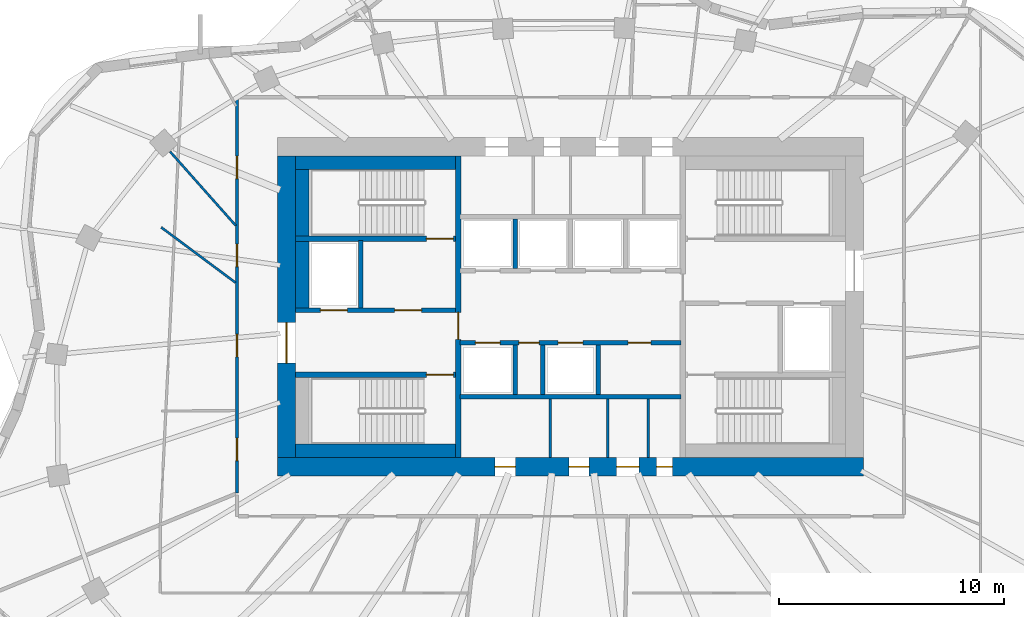
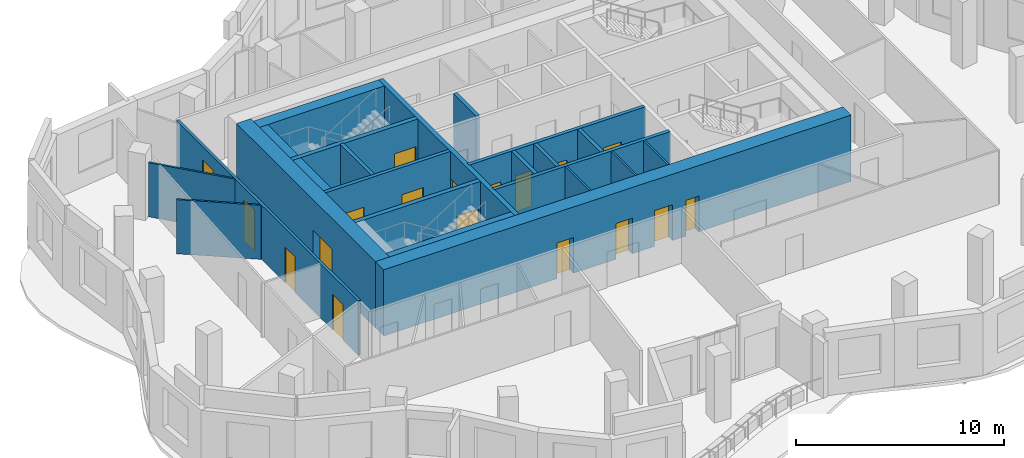
# One storey, part 6 of 12: 23 walls, 18 doors, 18 openings.
"""IFC4 building model written with IfcOpenShell, lengths in metres."""

from ifc_helpers import new_model, si_unit, direction, frame, frame_2d, origin, place, context, subcontext, project, spatial, rectangle, extrude, material, layer, layer_set, type_object, element, fill, save


model = new_model("IFC4")

# Units and contexts
model_context = context("Model", 3, precision=1e-05, world=origin(), true_north=direction((0.0, 1.0)))
body_context = subcontext(model_context, "Body", "Model", "MODEL_VIEW")
ifc_project = project(units=[si_unit("LENGTHUNIT", "METRE"), si_unit("AREAUNIT", "SQUARE_METRE"), si_unit("VOLUMEUNIT", "CUBIC_METRE"), si_unit("PLANEANGLEUNIT", "RADIAN"), si_unit("MASSUNIT", "GRAM", prefix="KILO")], contexts=[model_context])

# Site, building, storey
site_placement = place(None, origin())
site = spatial("IfcSite", under=ifc_project, at=site_placement, CompositionType="ELEMENT")
building_placement = place(site_placement, origin())
building = spatial("IfcBuilding", under=site, at=building_placement, Name="Rubra Terraces Tower", CompositionType="ELEMENT")
storey_placement = place(building_placement, frame((0.0, 0.0, 276.60009765625)))
storey = spatial("IfcBuildingStorey", under=building, at=storey_placement, Name="L68", CompositionType="ELEMENT", Elevation=276.60009765625)

# Wall, openings, doors
ifc_material_1 = material(Name="Concrete C50", Category="concrete")
ifc_layer_1 = layer(ifc_material_1, 0.800048828125)
ifc_layer_set_1 = layer_set([ifc_layer_1], Name="Concrete C50")
wall_type_1 = type_object("IfcWallType", Name="CORE WALL 800 C50", PredefinedType="SHEAR", material=ifc_layer_set_1)
wall_1_placement = place(storey_placement, frame((-13.0, -2.60009765625, 0.0), z_axis=(0.0, 0.0, 1.0), x_axis=(1.0, 0.0, 0.0)))
wall_1 = element("IfcWall", 1, at=wall_1_placement, inside=storey, type_object=wall_type_1, Name="CORE WALL S L68", PredefinedType="SHEAR", context=body_context, shape_type="SweptSolid", body=[
    extrude(rectangle(XDim=26.0, YDim=0.800048828125, at=frame_2d((13.0, 0.0))), origin(), (0.0, 0.0, 1.0), 3.89990234375),
])
opening_1_placement = place(wall_1_placement, frame((9.64990234375, 0.0, 0.0)))
opening_1 = element("IfcOpeningElement", 2, at=opening_1_placement, cuts=wall_1, Name="Opening L68.C21", PredefinedType="OPENING", context=body_context, shape_type="SweptSolid", body=[
    extrude(rectangle(XDim=0.89990234375, YDim=2.10009765625, at=frame_2d((0.449951171875, 1.050048828125))), frame((0.0, 0.409912109375, 0.0), z_axis=(0.0, -1.0, 0.0), x_axis=(1.0, 0.0, 0.0)), (0.0, 0.0, 1.0), 0.820068359375),
])
opening_2_placement = place(wall_1_placement, frame((12.925048828125, 0.0, 0.0)))
opening_2 = element("IfcOpeningElement", 3, at=opening_2_placement, cuts=wall_1, Name="Opening L68.C22", PredefinedType="OPENING", context=body_context, shape_type="SweptSolid", body=[
    extrude(rectangle(XDim=0.89990234375, YDim=2.10009765625, at=frame_2d((0.449951171875, 1.050048828125))), frame((0.0, 0.409912109375, 0.0), z_axis=(0.0, -1.0, 0.0), x_axis=(1.0, 0.0, 0.0)), (0.0, 0.0, 1.0), 0.820068359375),
])
opening_3_placement = place(wall_1_placement, frame((15.050048828125, 0.0, 0.0)))
opening_3 = element("IfcOpeningElement", 4, at=opening_3_placement, cuts=wall_1, Name="Opening L68.C23", PredefinedType="OPENING", context=body_context, shape_type="SweptSolid", body=[
    extrude(rectangle(XDim=1.0, YDim=2.10009765625, at=frame_2d((0.5, 1.050048828125))), frame((0.0, 0.409912109375, 0.0), z_axis=(0.0, -1.0, 0.0), x_axis=(1.0, 0.0, 0.0)), (0.0, 0.0, 1.0), 0.820068359375),
])
opening_4_placement = place(wall_1_placement, frame((16.824951171875, 0.0, 0.0)))
opening_4 = element("IfcOpeningElement", 5, at=opening_4_placement, cuts=wall_1, Name="Opening L68.C24", PredefinedType="OPENING", context=body_context, shape_type="SweptSolid", body=[
    extrude(rectangle(XDim=0.699951171875, YDim=2.10009765625, at=frame_2d((0.35009765625, 1.050048828125))), frame((0.0, 0.409912109375, 0.0), z_axis=(0.0, -1.0, 0.0), x_axis=(1.0, 0.0, 0.0)), (0.0, 0.0, 1.0), 0.820068359375),
])
ifc_material_2 = material(Name="Painted steel", Category="steel")
door_type_1 = type_object("IfcDoorType", Name="Fire door 1000x2100 single", OperationType="NOTDEFINED", PredefinedType="DOOR", material=ifc_material_2)
door_1_placement = place(opening_3_placement, origin())
door_1 = element("IfcDoor", 6, at=door_1_placement, inside=storey, type_object=door_type_1, Name="Accessible WC door", OperationType="SINGLE_SWING_LEFT", OverallHeight=2.10009765625, OverallWidth=1.0, PredefinedType="DOOR", context=body_context, shape_type="SweptSolid", body=[
    extrude(rectangle(XDim=1.0, YDim=2.10009765625, at=frame_2d((0.5, 1.050048828125))), frame((0.0, 0.02490234375, 0.0), z_axis=(0.0, -1.0, 0.0), x_axis=(1.0, 0.0, 0.0)), (0.0, 0.0, 1.0), 0.050048828125),
])
fill(opening_3, door_1)
door_type_2 = type_object("IfcDoorType", Name="Fire door 900x2100 single", OperationType="NOTDEFINED", PredefinedType="DOOR", material=ifc_material_2)
door_2_placement = place(opening_1_placement, origin())
door_2 = element("IfcDoor", 7, at=door_2_placement, inside=storey, type_object=door_type_2, Name="Ladies WC door", OperationType="SINGLE_SWING_LEFT", OverallHeight=2.10009765625, OverallWidth=0.89990234375, PredefinedType="DOOR", context=body_context, shape_type="SweptSolid", body=[
    extrude(rectangle(XDim=0.89990234375, YDim=2.10009765625, at=frame_2d((0.449951171875, 1.050048828125))), frame((0.0, 0.02490234375, 0.0), z_axis=(0.0, -1.0, 0.0), x_axis=(1.0, 0.0, 0.0)), (0.0, 0.0, 1.0), 0.050048828125),
])
fill(opening_1, door_2)
door_3_placement = place(opening_2_placement, origin())
door_3 = element("IfcDoor", 8, at=door_3_placement, inside=storey, type_object=door_type_2, Name="Gents WC door", OperationType="SINGLE_SWING_RIGHT", OverallHeight=2.10009765625, OverallWidth=0.89990234375, PredefinedType="DOOR", context=body_context, shape_type="SweptSolid", body=[
    extrude(rectangle(XDim=0.89990234375, YDim=2.10009765625, at=frame_2d((0.449951171875, 1.050048828125))), frame((0.0, 0.02490234375, 0.0), z_axis=(0.0, -1.0, 0.0), x_axis=(1.0, 0.0, 0.0)), (0.0, 0.0, 1.0), 0.050048828125),
])
fill(opening_2, door_3)
door_type_3 = type_object("IfcDoorType", Name="Riser access door 700x2100 single", OperationType="NOTDEFINED", PredefinedType="DOOR", material=ifc_material_2)
door_4_placement = place(opening_4_placement, origin())
door_4 = element("IfcDoor", 9, at=door_4_placement, inside=storey, type_object=door_type_3, Name="Water and drainage riser door", OperationType="SINGLE_SWING_RIGHT", OverallHeight=2.10009765625, OverallWidth=0.699951171875, PredefinedType="DOOR", context=body_context, shape_type="SweptSolid", body=[
    extrude(rectangle(XDim=0.699951171875, YDim=2.10009765625, at=frame_2d((0.35009765625, 1.050048828125))), frame((0.0, 0.02490234375, 0.0), z_axis=(0.0, -1.0, 0.0), x_axis=(1.0, 0.0, 0.0)), (0.0, 0.0, 1.0), 0.050048828125),
])
fill(opening_4, door_4)

# Wall, opening, door
wall_2_placement = place(storey_placement, frame((-12.60009765625, -2.199951171875, 0.0), z_axis=(0.0, 0.0, 1.0), x_axis=(0.0, 1.0, 0.0)))
wall_2 = element("IfcWall", 10, at=wall_2_placement, inside=storey, type_object=wall_type_1, Name="CORE WALL W L68", PredefinedType="SHEAR", context=body_context, shape_type="SweptSolid", body=[
    extrude(rectangle(XDim=13.39990234375, YDim=0.800048828125, at=frame_2d((6.699951171875, 0.0))), origin(), (0.0, 0.0, 1.0), 3.89990234375),
])
opening_5_placement = place(wall_2_placement, frame((4.199951171875, 0.0, 0.0)))
opening_5 = element("IfcOpeningElement", 11, at=opening_5_placement, cuts=wall_2, Name="Opening L68.C01", PredefinedType="OPENING", context=body_context, shape_type="SweptSolid", body=[
    extrude(rectangle(XDim=1.800048828125, YDim=2.10009765625, at=frame_2d((0.89990234375, 1.050048828125))), frame((0.0, 0.409912109375, 0.0), z_axis=(0.0, -1.0, 0.0), x_axis=(1.0, 0.0, 0.0)), (0.0, 0.0, 1.0), 0.820068359375),
])
door_type_4 = type_object("IfcDoorType", Name="Fire door 1800x2100 double", OperationType="NOTDEFINED", PredefinedType="DOOR", material=ifc_material_2)
door_5_placement = place(opening_5_placement, origin())
door_5 = element("IfcDoor", 12, at=door_5_placement, inside=storey, type_object=door_type_4, Name="Core entrance door FF1", OperationType="DOUBLE_DOOR_SINGLE_SWING", OverallHeight=2.10009765625, OverallWidth=1.800048828125, PredefinedType="DOOR", context=body_context, shape_type="SweptSolid", body=[
    extrude(rectangle(XDim=1.800048828125, YDim=2.10009765625, at=frame_2d((0.89990234375, 1.050048828125))), frame((0.0, 0.02490234375, 0.0), z_axis=(0.0, -1.0, 0.0), x_axis=(1.0, 0.0, 0.0)), (0.0, 0.0, 1.0), 0.050048828125),
])
fill(opening_5, door_5)

# Wall, openings, doors
ifc_material_3 = material(Name="Plasterboard on steel stud, mineral wool infill", Category="steel")
ifc_layer_2 = layer(ifc_material_3, 0.14990234375)
ifc_layer_set_2 = layer_set([ifc_layer_2], Name="Plasterboard on steel stud, mineral wool infill")
wall_type_2 = type_object("IfcWallType", Name="CORRIDOR PARTITION 150", PredefinedType="PARTITIONING", material=ifc_layer_set_2)
wall_3_placement = place(storey_placement, frame((-14.800048828125, 13.72509765625, 0.0), z_axis=(0.0, 0.0, 1.0), x_axis=(0.0, -1.0, 0.0)))
wall_3 = element("IfcWall", 13, at=wall_3_placement, inside=storey, type_object=wall_type_2, Name="PARTITION", PredefinedType="PARTITIONING", context=body_context, shape_type="SweptSolid", body=[
    extrude(rectangle(XDim=17.50048828125, YDim=0.14990234375, at=frame_2d((8.750244140625, 0.0))), origin(), (0.0, 0.0, 1.0), 3.197998046875),
])
opening_6_placement = place(wall_3_placement, frame((2.535888671875, 0.0, 0.0)))
opening_6 = element("IfcOpeningElement", 14, at=opening_6_placement, cuts=wall_3, Name="Opening 68-104", PredefinedType="OPENING", context=body_context, shape_type="SweptSolid", body=[
    extrude(rectangle(XDim=1.0, YDim=2.39990234375, at=frame_2d((0.5, 1.199951171875))), frame((0.0, 0.0849609375, 0.0), z_axis=(0.0, -1.0, 0.0), x_axis=(1.0, 0.0, 0.0)), (0.0, 0.0, 1.0), 0.169921875),
])
opening_7_placement = place(wall_3_placement, frame((6.44189453125, 0.0, 0.0)))
opening_7 = element("IfcOpeningElement", 15, at=opening_7_placement, cuts=wall_3, Name="Opening 68-105", PredefinedType="OPENING", context=body_context, shape_type="SweptSolid", body=[
    extrude(rectangle(XDim=1.0, YDim=2.39990234375, at=frame_2d((0.5, 1.199951171875))), frame((0.0, 0.0849609375, 0.0), z_axis=(0.0, -1.0, 0.0), x_axis=(1.0, 0.0, 0.0)), (0.0, 0.0, 1.0), 0.169921875),
])
opening_8_placement = place(wall_3_placement, frame((10.449951171875, 0.0, 0.0)))
opening_8 = element("IfcOpeningElement", 16, at=opening_8_placement, cuts=wall_3, Name="Opening 68-124", PredefinedType="OPENING", context=body_context, shape_type="SweptSolid", body=[
    extrude(rectangle(XDim=1.0, YDim=2.10009765625, at=frame_2d((0.5, 1.050048828125))), frame((0.0, 0.0849609375, 0.0), z_axis=(0.0, -1.0, 0.0), x_axis=(1.0, 0.0, 0.0)), (0.0, 0.0, 1.0), 0.169921875),
])
opening_9_placement = place(wall_3_placement, frame((15.050048828125, 0.0, 0.0)))
opening_9 = element("IfcOpeningElement", 17, at=opening_9_placement, cuts=wall_3, Name="Opening 68-125", PredefinedType="OPENING", context=body_context, shape_type="SweptSolid", body=[
    extrude(rectangle(XDim=1.0, YDim=2.10009765625, at=frame_2d((0.5, 1.050048828125))), frame((0.0, 0.0849609375, 0.0), z_axis=(0.0, -1.0, 0.0), x_axis=(1.0, 0.0, 0.0)), (0.0, 0.0, 1.0), 0.169921875),
])
ifc_material_4 = material(Name="Glazed aluminium meeting door leaf", Category="aluminium")
door_type_5 = type_object("IfcDoorType", Name="MEETING ROOM GLAZED DOOR 1000 X 2400", OperationType="SINGLE_SWING_LEFT", PredefinedType="DOOR", material=ifc_material_4)
door_6_placement = place(opening_6_placement, origin())
door_6 = element("IfcDoor", 18, at=door_6_placement, inside=storey, type_object=door_type_5, Name="DOOR 68-104", OperationType="SINGLE_SWING_RIGHT", OverallHeight=2.39990234375, OverallWidth=1.0, PredefinedType="DOOR", context=body_context, shape_type="SweptSolid", body=[
    extrude(rectangle(XDim=1.0, YDim=2.39990234375, at=frame_2d((0.5, 1.199951171875))), frame((0.0, 0.02490234375, 0.0), z_axis=(0.0, -1.0, 0.0), x_axis=(1.0, 0.0, 0.0)), (0.0, 0.0, 1.0), 0.050048828125),
])
fill(opening_6, door_6)
door_7_placement = place(opening_7_placement, origin())
door_7 = element("IfcDoor", 19, at=door_7_placement, inside=storey, type_object=door_type_5, Name="DOOR 68-105", OperationType="SINGLE_SWING_RIGHT", OverallHeight=2.39990234375, OverallWidth=1.0, PredefinedType="DOOR", context=body_context, shape_type="SweptSolid", body=[
    extrude(rectangle(XDim=1.0, YDim=2.39990234375, at=frame_2d((0.5, 1.199951171875))), frame((0.0, 0.02490234375, 0.0), z_axis=(0.0, -1.0, 0.0), x_axis=(1.0, 0.0, 0.0)), (0.0, 0.0, 1.0), 0.050048828125),
])
fill(opening_7, door_7)
ifc_material_5 = material(Name="Painted timber door leaf", Category="wood")
door_type_6 = type_object("IfcDoorType", Name="ROOM DOOR 1000 X 2100", OperationType="SINGLE_SWING_LEFT", PredefinedType="DOOR", material=ifc_material_5)
door_8_placement = place(opening_8_placement, origin())
door_8 = element("IfcDoor", 20, at=door_8_placement, inside=storey, type_object=door_type_6, Name="DOOR 68-124", OperationType="SINGLE_SWING_RIGHT", OverallHeight=2.10009765625, OverallWidth=1.0, PredefinedType="DOOR", context=body_context, shape_type="SweptSolid", body=[
    extrude(rectangle(XDim=1.0, YDim=2.10009765625, at=frame_2d((0.5, 1.050048828125))), frame((0.0, 0.02490234375, 0.0), z_axis=(0.0, -1.0, 0.0), x_axis=(1.0, 0.0, 0.0)), (0.0, 0.0, 1.0), 0.050048828125),
])
fill(opening_8, door_8)
door_9_placement = place(opening_9_placement, origin())
door_9 = element("IfcDoor", 21, at=door_9_placement, inside=storey, type_object=door_type_6, Name="DOOR 68-125", OperationType="SINGLE_SWING_RIGHT", OverallHeight=2.10009765625, OverallWidth=1.0, PredefinedType="DOOR", context=body_context, shape_type="SweptSolid", body=[
    extrude(rectangle(XDim=1.0, YDim=2.10009765625, at=frame_2d((0.5, 1.050048828125))), frame((0.0, 0.02490234375, 0.0), z_axis=(0.0, -1.0, 0.0), x_axis=(1.0, 0.0, 0.0)), (0.0, 0.0, 1.0), 0.050048828125),
])
fill(opening_9, door_9)

# Walls
ifc_material_6 = material(Name="Concrete C40", Category="concrete")
ifc_layer_3 = layer(ifc_material_6, 0.60009765625)
ifc_layer_set_3 = layer_set([ifc_layer_3], Name="Concrete C40")
wall_type_3 = type_object("IfcWallType", Name="Core lining wall 600 concrete", PredefinedType="SOLIDWALL", material=ifc_layer_set_3)
wall_4_placement = place(storey_placement, frame((-12.199951171875, -1.89990234375, 0.0), z_axis=(0.0, 0.0, 1.0), x_axis=(1.0, 0.0, 0.0)))
element("IfcWall", 22, at=wall_4_placement, inside=storey, type_object=wall_type_3, Name="CORE LINING WALL L68", PredefinedType="SOLIDWALL", context=body_context, shape_type="SweptSolid", body=[
    extrude(rectangle(XDim=7.099853515625, YDim=0.60009765625, at=frame_2d((3.5498046875, 0.0))), origin(), (0.0, 0.0, 1.0), 3.699951171875),
])
wall_5_placement = place(storey_placement, frame((-11.89990234375, 4.449951171875, 0.0), z_axis=(0.0, 0.0, 1.0), x_axis=(0.0, 1.0, 0.0)))
element("IfcWall", 23, at=wall_5_placement, inside=storey, type_object=wall_type_3, Name="CORE LINING WALL L68", PredefinedType="SOLIDWALL", context=body_context, shape_type="SweptSolid", body=[
    extrude(rectangle(XDim=3.0, YDim=0.60009765625, at=frame_2d((1.5, 0.0))), origin(), (0.0, 0.0, 1.0), 3.699951171875),
])
wall_6_placement = place(storey_placement, frame((-11.89990234375, 7.64990234375, 0.0), z_axis=(0.0, 0.0, 1.0), x_axis=(0.0, 1.0, 0.0)))
element("IfcWall", 24, at=wall_6_placement, inside=storey, type_object=wall_type_3, Name="CORE LINING WALL L68", PredefinedType="SOLIDWALL", context=body_context, shape_type="SweptSolid", body=[
    extrude(rectangle(XDim=2.9501953125, YDim=0.60009765625, at=frame_2d((1.47509765625, 0.0))), origin(), (0.0, 0.0, 1.0), 3.699951171875),
])
wall_7_placement = place(storey_placement, frame((-12.199951171875, 10.89990234375, 0.0), z_axis=(0.0, 0.0, 1.0), x_axis=(1.0, 0.0, 0.0)))
element("IfcWall", 25, at=wall_7_placement, inside=storey, type_object=wall_type_3, Name="CORE LINING WALL L68", PredefinedType="SOLIDWALL", context=body_context, shape_type="SweptSolid", body=[
    extrude(rectangle(XDim=7.099853515625, YDim=0.60009765625, at=frame_2d((3.5498046875, 0.0))), origin(), (0.0, 0.0, 1.0), 3.699951171875),
])

# Wall, openings, doors
ifc_material_7 = material(Name="Concrete C30", Category="concrete")
ifc_layer_4 = layer(ifc_material_7, 0.199951171875)
ifc_layer_set_4 = layer_set([ifc_layer_4], Name="Concrete C30")
wall_type_4 = type_object("IfcWallType", Name="Core wall 200 concrete", PredefinedType="SOLIDWALL", material=ifc_layer_set_4)
wall_8_placement = place(storey_placement, frame((-12.199951171875, 4.35009765625, 0.0), z_axis=(0.0, 0.0, 1.0), x_axis=(1.0, 0.0, 0.0)))
wall_8 = element("IfcWall", 26, at=wall_8_placement, inside=storey, type_object=wall_type_4, Name="STAIR WALL L68", PredefinedType="SOLIDWALL", context=body_context, shape_type="SweptSolid", body=[
    extrude(rectangle(XDim=7.099853515625, YDim=0.199951171875, at=frame_2d((3.5498046875, 0.0))), origin(), (0.0, 0.0, 1.0), 3.699951171875),
])
opening_10_placement = place(wall_8_placement, frame((4.39990234375, 0.0, 0.0)))
opening_10 = element("IfcOpeningElement", 27, at=opening_10_placement, cuts=wall_8, Name="Opening L68.C05", PredefinedType="OPENING", context=body_context, shape_type="SweptSolid", body=[
    extrude(rectangle(XDim=1.199951171875, YDim=2.10009765625, at=frame_2d((0.60009765625, 1.050048828125))), frame((0.0, 0.10986328125, 0.0), z_axis=(0.0, -1.0, 0.0), x_axis=(1.0, 0.0, 0.0)), (0.0, 0.0, 1.0), 0.219970703125),
])
opening_11_placement = place(wall_8_placement, frame((1.10009765625, 0.0, 0.0)))
opening_11 = element("IfcOpeningElement", 28, at=opening_11_placement, cuts=wall_8, Name="Opening L68.C11", PredefinedType="OPENING", context=body_context, shape_type="SweptSolid", body=[
    extrude(rectangle(XDim=1.199951171875, YDim=2.10009765625, at=frame_2d((0.60009765625, 1.050048828125))), frame((0.0, 0.10986328125, 0.0), z_axis=(0.0, -1.0, 0.0), x_axis=(1.0, 0.0, 0.0)), (0.0, 0.0, 1.0), 0.219970703125),
])
door_type_7 = type_object("IfcDoorType", Name="Fire door 1200x2100 single", OperationType="NOTDEFINED", PredefinedType="DOOR", material=ifc_material_2)
door_10_placement = place(opening_10_placement, origin())
door_10 = element("IfcDoor", 29, at=door_10_placement, inside=storey, type_object=door_type_7, Name="Stair vestibule door S2", OperationType="SINGLE_SWING_LEFT", OverallHeight=2.10009765625, OverallWidth=1.199951171875, PredefinedType="DOOR", context=body_context, shape_type="SweptSolid", body=[
    extrude(rectangle(XDim=1.199951171875, YDim=2.10009765625, at=frame_2d((0.60009765625, 1.050048828125))), frame((0.0, 0.02490234375, 0.0), z_axis=(0.0, -1.0, 0.0), x_axis=(1.0, 0.0, 0.0)), (0.0, 0.0, 1.0), 0.050048828125),
])
fill(opening_10, door_10)
ifc_material_8 = material(Name="Stainless steel", Category="steel")
door_type_8 = type_object("IfcDoorType", Name="Lift landing door 1200x2100", OperationType="NOTDEFINED", PredefinedType="DOOR", material=ifc_material_8)
door_11_placement = place(opening_11_placement, origin())
door_11 = element("IfcDoor", 30, at=door_11_placement, inside=storey, type_object=door_type_8, Name="Landing door FF1", OperationType="SLIDING_TO_RIGHT", OverallHeight=2.10009765625, OverallWidth=1.199951171875, PredefinedType="DOOR", context=body_context, shape_type="SweptSolid", body=[
    extrude(rectangle(XDim=1.199951171875, YDim=2.10009765625, at=frame_2d((0.60009765625, 1.050048828125))), frame((0.0, 0.02490234375, 0.0), z_axis=(0.0, -1.0, 0.0), x_axis=(1.0, 0.0, 0.0)), (0.0, 0.0, 1.0), 0.050048828125),
])
fill(opening_11, door_11)

# Walls
wall_9_placement = place(storey_placement, frame((-9.300048828125, 4.449951171875, 0.0), z_axis=(0.0, 0.0, 1.0), x_axis=(0.0, 1.0, 0.0)))
element("IfcWall", 31, at=wall_9_placement, inside=storey, type_object=wall_type_4, Name="STAIR WALL L68", PredefinedType="SOLIDWALL", context=body_context, shape_type="SweptSolid", body=[
    extrude(rectangle(XDim=3.0, YDim=0.199951171875, at=frame_2d((1.5, 0.0))), origin(), (0.0, 0.0, 1.0), 3.699951171875),
])
wall_10_placement = place(storey_placement, frame((-4.89990234375, 0.5, 0.0), z_axis=(0.0, 0.0, 1.0), x_axis=(1.0, 0.0, 0.0)))
element("IfcWall", 32, at=wall_10_placement, inside=storey, type_object=wall_type_4, Name="LIFT SHAFT WALL L68", PredefinedType="SOLIDWALL", context=body_context, shape_type="SweptSolid", body=[
    extrude(rectangle(XDim=9.7998046875, YDim=0.199951171875, at=frame_2d((4.89990234375, 0.0))), origin(), (0.0, 0.0, 1.0), 3.699951171875),
])

# Wall, openings, doors
wall_11_placement = place(storey_placement, frame((-4.89990234375, 2.89990234375, 0.0), z_axis=(0.0, 0.0, 1.0), x_axis=(1.0, 0.0, 0.0)))
wall_11 = element("IfcWall", 33, at=wall_11_placement, inside=storey, type_object=wall_type_4, Name="LIFT SHAFT WALL L68", PredefinedType="SOLIDWALL", context=body_context, shape_type="SweptSolid", body=[
    extrude(rectangle(XDim=9.7998046875, YDim=0.199951171875, at=frame_2d((4.89990234375, 0.0))), origin(), (0.0, 0.0, 1.0), 3.699951171875),
])
opening_12_placement = place(wall_11_placement, frame((0.675048828125, 0.0, 0.0)))
opening_12 = element("IfcOpeningElement", 34, at=opening_12_placement, cuts=wall_11, Name="Opening L68.C13", PredefinedType="OPENING", context=body_context, shape_type="SweptSolid", body=[
    extrude(rectangle(XDim=1.10009765625, YDim=2.10009765625, at=frame_2d((0.550048828125, 1.050048828125))), frame((0.0, 0.10986328125, 0.0), z_axis=(0.0, -1.0, 0.0), x_axis=(1.0, 0.0, 0.0)), (0.0, 0.0, 1.0), 0.219970703125),
])
opening_13_placement = place(wall_11_placement, frame((2.613037109375, 0.0, 0.0)))
opening_13 = element("IfcOpeningElement", 35, at=opening_13_placement, cuts=wall_11, Name="Opening L68.C14", PredefinedType="OPENING", context=body_context, shape_type="SweptSolid", body=[
    extrude(rectangle(XDim=0.89990234375, YDim=2.10009765625, at=frame_2d((0.449951171875, 1.050048828125))), frame((0.0, 0.10986328125, 0.0), z_axis=(0.0, -1.0, 0.0), x_axis=(1.0, 0.0, 0.0)), (0.0, 0.0, 1.0), 0.219970703125),
])
opening_14_placement = place(wall_11_placement, frame((4.35009765625, 0.0, 0.0)))
opening_14 = element("IfcOpeningElement", 36, at=opening_14_placement, cuts=wall_11, Name="Opening L68.C15", PredefinedType="OPENING", context=body_context, shape_type="SweptSolid", body=[
    extrude(rectangle(XDim=1.10009765625, YDim=2.10009765625, at=frame_2d((0.550048828125, 1.050048828125))), frame((0.0, 0.10986328125, 0.0), z_axis=(0.0, -1.0, 0.0), x_axis=(1.0, 0.0, 0.0)), (0.0, 0.0, 1.0), 0.219970703125),
])
opening_15_placement = place(wall_11_placement, frame((7.462890625, 0.0, 0.0)))
opening_15 = element("IfcOpeningElement", 37, at=opening_15_placement, cuts=wall_11, Name="Opening L68.C16", PredefinedType="OPENING", context=body_context, shape_type="SweptSolid", body=[
    extrude(rectangle(XDim=1.0, YDim=2.10009765625, at=frame_2d((0.5, 1.050048828125))), frame((0.0, 0.10986328125, 0.0), z_axis=(0.0, -1.0, 0.0), x_axis=(1.0, 0.0, 0.0)), (0.0, 0.0, 1.0), 0.219970703125),
])
door_12_placement = place(opening_15_placement, origin())
door_12 = element("IfcDoor", 38, at=door_12_placement, inside=storey, type_object=door_type_1, Name="General store door", OperationType="SINGLE_SWING_RIGHT", OverallHeight=2.10009765625, OverallWidth=1.0, PredefinedType="DOOR", context=body_context, shape_type="SweptSolid", body=[
    extrude(rectangle(XDim=1.0, YDim=2.10009765625, at=frame_2d((0.5, 1.050048828125))), frame((0.0, 0.02490234375, 0.0), z_axis=(0.0, -1.0, 0.0), x_axis=(1.0, 0.0, 0.0)), (0.0, 0.0, 1.0), 0.050048828125),
])
fill(opening_15, door_12)
door_13_placement = place(opening_13_placement, origin())
door_13 = element("IfcDoor", 39, at=door_13_placement, inside=storey, type_object=door_type_2, Name="Cleaner's store door", OperationType="SINGLE_SWING_RIGHT", OverallHeight=2.10009765625, OverallWidth=0.89990234375, PredefinedType="DOOR", context=body_context, shape_type="SweptSolid", body=[
    extrude(rectangle(XDim=0.89990234375, YDim=2.10009765625, at=frame_2d((0.449951171875, 1.050048828125))), frame((0.0, 0.02490234375, 0.0), z_axis=(0.0, -1.0, 0.0), x_axis=(1.0, 0.0, 0.0)), (0.0, 0.0, 1.0), 0.050048828125),
])
fill(opening_13, door_13)
door_type_9 = type_object("IfcDoorType", Name="Lift landing door 1100x2100", OperationType="NOTDEFINED", PredefinedType="DOOR", material=ifc_material_8)
door_14_placement = place(opening_12_placement, origin())
door_14 = element("IfcDoor", 40, at=door_14_placement, inside=storey, type_object=door_type_9, Name="Landing door HB1", OperationType="SLIDING_TO_RIGHT", OverallHeight=2.10009765625, OverallWidth=1.10009765625, PredefinedType="DOOR", context=body_context, shape_type="SweptSolid", body=[
    extrude(rectangle(XDim=1.10009765625, YDim=2.10009765625, at=frame_2d((0.550048828125, 1.050048828125))), frame((0.0, 0.02490234375, 0.0), z_axis=(0.0, -1.0, 0.0), x_axis=(1.0, 0.0, 0.0)), (0.0, 0.0, 1.0), 0.050048828125),
])
fill(opening_12, door_14)
door_15_placement = place(opening_14_placement, origin())
door_15 = element("IfcDoor", 41, at=door_15_placement, inside=storey, type_object=door_type_9, Name="Landing door HB2", OperationType="SLIDING_TO_LEFT", OverallHeight=2.10009765625, OverallWidth=1.10009765625, PredefinedType="DOOR", context=body_context, shape_type="SweptSolid", body=[
    extrude(rectangle(XDim=1.10009765625, YDim=2.10009765625, at=frame_2d((0.550048828125, 1.050048828125))), frame((0.0, 0.02490234375, 0.0), z_axis=(0.0, -1.0, 0.0), x_axis=(1.0, 0.0, 0.0)), (0.0, 0.0, 1.0), 0.050048828125),
])
fill(opening_14, door_15)

# Walls
for number, where, z_axis, x_axis, name in (
    (42, (-2.449951171875, 0.60009765625, 0.0), (0.0, 0.0, 1.0), (0.0, 1.0, 0.0), "LIFT SHAFT WALL L68"),
    (43, (-1.22509765625, 0.60009765625, 0.0), (0.0, 0.0, 1.0), (0.0, 1.0, 0.0), "LIFT SHAFT WALL L68"),
    (44, (1.22509765625, 0.60009765625, 0.0), (0.0, 0.0, 1.0), (0.0, 1.0, 0.0), "LIFT SHAFT WALL L68"),
    (45, (-2.449951171875, 6.199951171875, 0.0), (0.0, 0.0, 1.0), (0.0, 1.0, 0.0), "LIFT SHAFT WALL L68"),
):
    element("IfcWall", number, at=place(storey_placement, frame(where, z_axis=z_axis, x_axis=x_axis)), inside=storey, type_object=wall_type_4, Name=name, PredefinedType="SOLIDWALL", context=body_context, shape_type="SweptSolid", body=[
        extrude(rectangle(XDim=2.199951171875, YDim=0.199951171875, at=frame_2d((1.10009765625, 0.0))), origin(), (0.0, 0.0, 1.0), 3.699951171875),
    ])
ifc_material_9 = material(Name="Plasterboard on steel stud", Category="steel")
ifc_layer_5 = layer(ifc_material_9, 0.10009765625)
ifc_layer_set_5 = layer_set([ifc_layer_5], Name="Plasterboard on steel stud")
wall_type_5 = type_object("IfcWallType", Name="ROOM PARTITION 100", PredefinedType="PARTITIONING", material=ifc_layer_set_5)
wall_12_placement = place(storey_placement, frame((-14.849853515625, 8.098876953125, 0.0), z_axis=(0.0, 0.0, 1.0), x_axis=(-0.663984515268, 0.747746322949, 0.0)))
element("IfcWall", 46, at=wall_12_placement, inside=storey, type_object=wall_type_5, Name="PARTITION", PredefinedType="PARTITIONING", context=body_context, shape_type="SweptSolid", body=[
    extrude(rectangle(XDim=4.395263671875, YDim=0.10009765625, at=frame_2d((2.19775390625, 0.0))), origin(), (0.0, 0.0, 1.0), 3.183837890625),
])
wall_13_placement = place(storey_placement, frame((-14.860107421875, 5.56787109375, 0.0), z_axis=(0.0, 0.0, 1.0), x_axis=(-0.80221669382, 0.597032977444, 0.0)))
element("IfcWall", 47, at=wall_13_placement, inside=storey, type_object=wall_type_5, Name="PARTITION", PredefinedType="PARTITIONING", context=body_context, shape_type="SweptSolid", body=[
    extrude(rectangle(XDim=4.11328125, YDim=0.10009765625, at=frame_2d((2.056640625, 0.0))), origin(), (0.0, 0.0, 1.0), 3.183837890625),
])
ifc_material_10 = material(Name="Blockwork", Category="masonry")
ifc_layer_6 = layer(ifc_material_10, 0.10009765625)
ifc_layer_set_6 = layer_set([ifc_layer_6], Name="Blockwork")
wall_type_6 = type_object("IfcWallType", Name="Service partition 100 blockwork", PredefinedType="PARTITIONING", material=ifc_layer_set_6)
for number, where, z_axis, x_axis, name in (
    (48, (-0.89990234375, -2.199951171875, 0.0), (0.0, 0.0, 1.0), (0.0, 1.0, 0.0), "SERVICE ROOM PARTITION L68"),
    (49, (1.64990234375, -2.199951171875, 0.0), (0.0, 0.0, 1.0), (0.0, 1.0, 0.0), "SERVICE ROOM PARTITION L68"),
    (50, (3.449951171875, -2.199951171875, 0.0), (0.0, 0.0, 1.0), (0.0, 1.0, 0.0), "SERVICE ROOM PARTITION L68"),
):
    element("IfcWall", number, at=place(storey_placement, frame(where, z_axis=z_axis, x_axis=x_axis)), inside=storey, type_object=wall_type_6, Name=name, PredefinedType="PARTITIONING", context=body_context, shape_type="SweptSolid", body=[
        extrude(rectangle(XDim=2.599853515625, YDim=0.10009765625, at=frame_2d((1.2998046875, 0.0))), origin(), (0.0, 0.0, 1.0), 3.699951171875),
    ])

# Wall, opening, door
ifc_layer_7 = layer(ifc_material_6, 0.25)
ifc_layer_set_7 = layer_set([ifc_layer_7], Name="Concrete C40")
wall_type_7 = type_object("IfcWallType", Name="Stair enclosure wall 250 concrete", PredefinedType="SOLIDWALL", material=ifc_layer_set_7)
wall_14_placement = place(storey_placement, frame((-12.199951171875, 1.47509765625, 0.0), z_axis=(0.0, 0.0, 1.0), x_axis=(1.0, 0.0, 0.0)))
wall_14 = element("IfcWall", 51, at=wall_14_placement, inside=storey, type_object=wall_type_7, Name="STAIR WALL L68", PredefinedType="SOLIDWALL", context=body_context, shape_type="SweptSolid", body=[
    extrude(rectangle(XDim=7.099853515625, YDim=0.25, at=frame_2d((3.5498046875, 0.0))), origin(), (0.0, 0.0, 1.0), 3.699951171875),
])
opening_16_placement = place(wall_14_placement, frame((5.800048828125, 0.0, 0.0)))
opening_16 = element("IfcOpeningElement", 52, at=opening_16_placement, cuts=wall_14, Name="Opening L68.C07", PredefinedType="OPENING", context=body_context, shape_type="SweptSolid", body=[
    extrude(rectangle(XDim=1.199951171875, YDim=2.10009765625, at=frame_2d((0.60009765625, 1.050048828125))), frame((0.0, 0.135009765625, 0.0), z_axis=(0.0, -1.0, 0.0), x_axis=(1.0, 0.0, 0.0)), (0.0, 0.0, 1.0), 0.27001953125),
])
door_16_placement = place(opening_16_placement, origin())
door_16 = element("IfcDoor", 53, at=door_16_placement, inside=storey, type_object=door_type_7, Name="Stair door S1", OperationType="SINGLE_SWING_LEFT", OverallHeight=2.10009765625, OverallWidth=1.199951171875, PredefinedType="DOOR", context=body_context, shape_type="SweptSolid", body=[
    extrude(rectangle(XDim=1.199951171875, YDim=2.10009765625, at=frame_2d((0.60009765625, 1.050048828125))), frame((0.0, 0.02490234375, 0.0), z_axis=(0.0, -1.0, 0.0), x_axis=(1.0, 0.0, 0.0)), (0.0, 0.0, 1.0), 0.050048828125),
])
fill(opening_16, door_16)

wall_15_placement = place(storey_placement, frame((-12.199951171875, 7.52490234375, 0.0), z_axis=(0.0, 0.0, 1.0), x_axis=(1.0, 0.0, 0.0)))
wall_15 = element("IfcWall", 54, at=wall_15_placement, inside=storey, type_object=wall_type_7, Name="STAIR WALL L68", PredefinedType="SOLIDWALL", context=body_context, shape_type="SweptSolid", body=[
    extrude(rectangle(XDim=7.099853515625, YDim=0.25, at=frame_2d((3.5498046875, 0.0))), origin(), (0.0, 0.0, 1.0), 3.699951171875),
])
opening_17_placement = place(wall_15_placement, frame((5.800048828125, 0.0, 0.0)))
opening_17 = element("IfcOpeningElement", 55, at=opening_17_placement, cuts=wall_15, Name="Opening L68.C09", PredefinedType="OPENING", context=body_context, shape_type="SweptSolid", body=[
    extrude(rectangle(XDim=1.199951171875, YDim=2.10009765625, at=frame_2d((0.60009765625, 1.050048828125))), frame((0.0, 0.135009765625, 0.0), z_axis=(0.0, -1.0, 0.0), x_axis=(1.0, 0.0, 0.0)), (0.0, 0.0, 1.0), 0.27001953125),
])
door_17_placement = place(opening_17_placement, origin())
door_17 = element("IfcDoor", 56, at=door_17_placement, inside=storey, type_object=door_type_7, Name="Stair door S2", OperationType="SINGLE_SWING_LEFT", OverallHeight=2.10009765625, OverallWidth=1.199951171875, PredefinedType="DOOR", context=body_context, shape_type="SweptSolid", body=[
    extrude(rectangle(XDim=1.199951171875, YDim=2.10009765625, at=frame_2d((0.60009765625, 1.050048828125))), frame((0.0, 0.02490234375, 0.0), z_axis=(0.0, -1.0, 0.0), x_axis=(1.0, 0.0, 0.0)), (0.0, 0.0, 1.0), 0.050048828125),
])
fill(opening_17, door_17)

wall_16_placement = place(storey_placement, frame((-4.97509765625, -2.199951171875, 0.0), z_axis=(0.0, 0.0, 1.0), x_axis=(0.0, 1.0, 0.0)))
wall_16 = element("IfcWall", 57, at=wall_16_placement, inside=storey, type_object=wall_type_7, Name="CORE LOBBY WALL L68", PredefinedType="SOLIDWALL", context=body_context, shape_type="SweptSolid", body=[
    extrude(rectangle(XDim=13.39990234375, YDim=0.25, at=frame_2d((6.699951171875, 0.0))), origin(), (0.0, 0.0, 1.0), 3.699951171875),
])
opening_18_placement = place(wall_16_placement, frame((5.25, 0.0, 0.0)))
opening_18 = element("IfcOpeningElement", 58, at=opening_18_placement, cuts=wall_16, Name="Opening L68.C03", PredefinedType="OPENING", context=body_context, shape_type="SweptSolid", body=[
    extrude(rectangle(XDim=1.199951171875, YDim=2.10009765625, at=frame_2d((0.60009765625, 1.050048828125))), frame((0.0, 0.135009765625, 0.0), z_axis=(0.0, -1.0, 0.0), x_axis=(1.0, 0.0, 0.0)), (0.0, 0.0, 1.0), 0.27001953125),
])
door_18_placement = place(opening_18_placement, origin())
door_18 = element("IfcDoor", 59, at=door_18_placement, inside=storey, type_object=door_type_7, Name="Firefighting lobby door FF1", OperationType="SINGLE_SWING_LEFT", OverallHeight=2.10009765625, OverallWidth=1.199951171875, PredefinedType="DOOR", context=body_context, shape_type="SweptSolid", body=[
    extrude(rectangle(XDim=1.199951171875, YDim=2.10009765625, at=frame_2d((0.60009765625, 1.050048828125))), frame((0.0, 0.02490234375, 0.0), z_axis=(0.0, -1.0, 0.0), x_axis=(1.0, 0.0, 0.0)), (0.0, 0.0, 1.0), 0.050048828125),
])
fill(opening_18, door_18)

save(model, "model.ifc")
